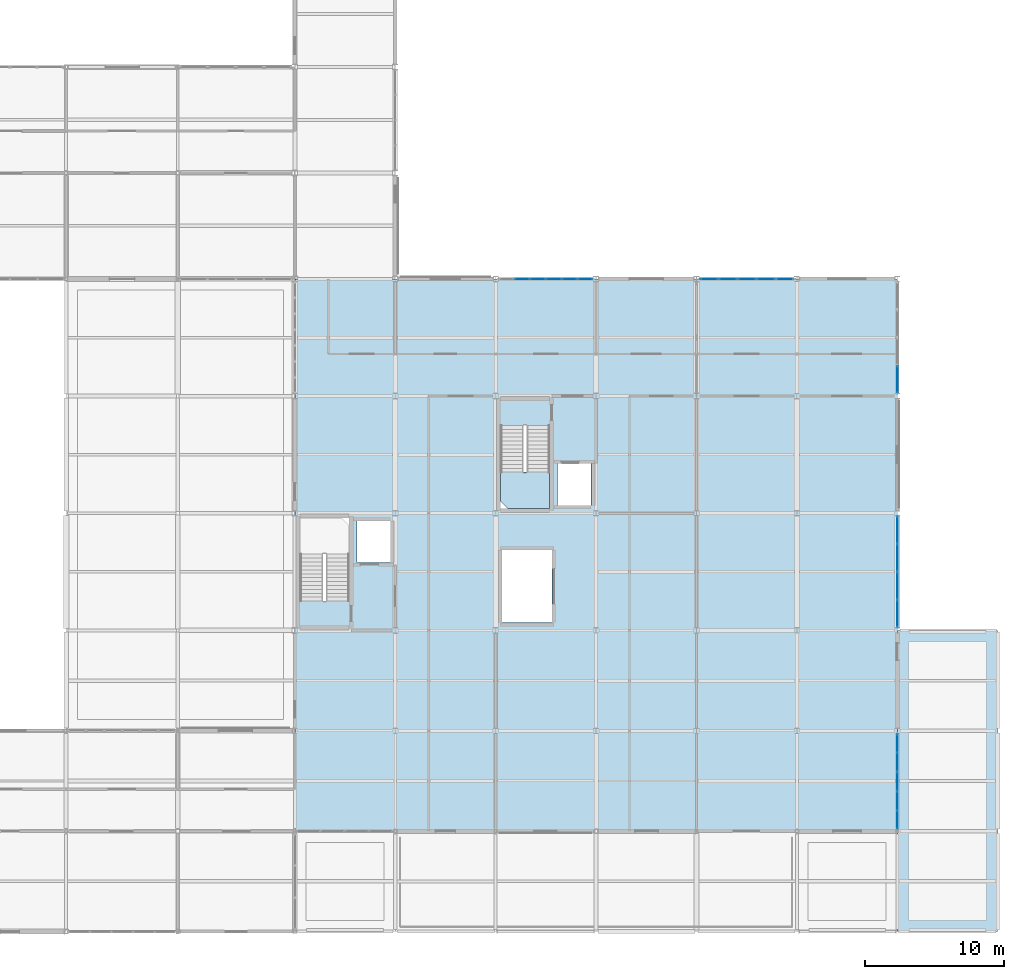
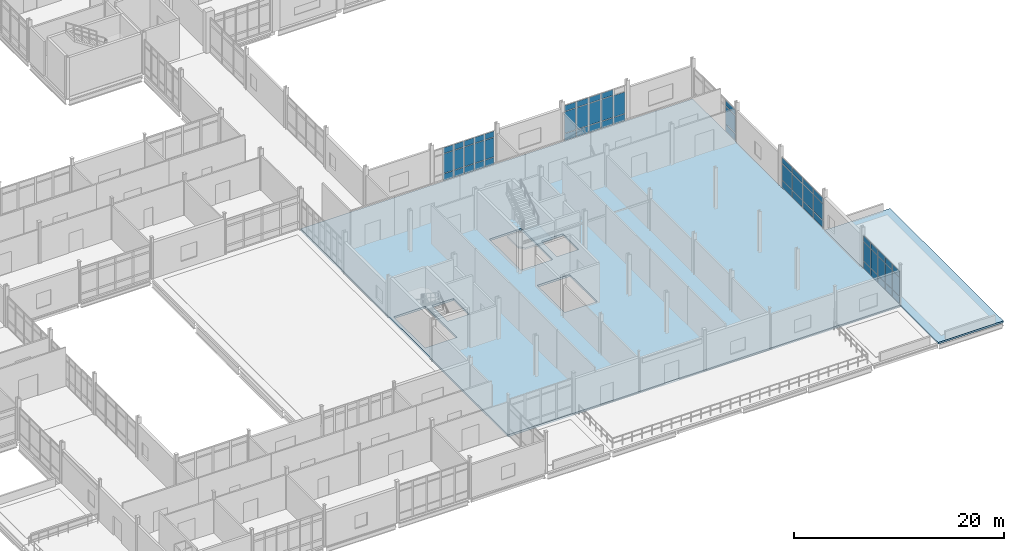
# One storey, part 132 of 186: 59 plates, 3 slabs, 6 elements without a shape of their own.
"""IFC4 building model written with IfcOpenShell, lengths in metres."""

from ifc_helpers import new_model, si_unit, direction, frame, origin, origin_2d, place, context, subcontext, project, spatial, polyline, rectangle, outline, extrude, material, layer, layer_set, type_object, element, aggregate, save


model = new_model("IFC4")

# Units and contexts
model_context = context("Model", 3, precision=1e-05, world=origin(), true_north=direction((0.0, 1.0)))
body_context = subcontext(model_context, "Body", "Model", "MODEL_VIEW")
ifc_project = project(units=[si_unit("LENGTHUNIT", "METRE"), si_unit("AREAUNIT", "SQUARE_METRE"), si_unit("VOLUMEUNIT", "CUBIC_METRE"), si_unit("PLANEANGLEUNIT", "RADIAN"), si_unit("MASSUNIT", "GRAM", prefix="KILO")], contexts=[model_context])

# Site, building, storey
site_placement = place(None, origin())
site = spatial("IfcSite", under=ifc_project, at=site_placement, CompositionType="ELEMENT")
building_placement = place(site_placement, origin())
building = spatial("IfcBuilding", under=site, at=building_placement, Name="Calvrana Isthmian Art Gallery", CompositionType="ELEMENT")
storey_placement = place(building_placement, frame((0.0, 0.0, 5.39990234375)))
storey = spatial("IfcBuildingStorey", under=building, at=storey_placement, Name="L01", CompositionType="ELEMENT", Elevation=5.39990234375)

# Curtain wall, plates
ifc_material_1 = material(Name="Anodized bronze aluminium 6063-T6", Category="aluminium")
ifc_layer_1 = layer(ifc_material_1, 0.179931640625, Name="Anodized bronze aluminium 6063-T6")
ifc_layer_set_1 = layer_set([ifc_layer_1], Name="Anodized bronze aluminium 6063-T6")
curtain_wall_type_1 = type_object("IfcCurtainWallType", Name="CW-UNIT-068X40", PredefinedType="USERDEFINED", material=ifc_layer_set_1)
curtain_wall_1_placement = place(storey_placement, origin())
curtain_wall_1 = element("IfcCurtainWall", 1, at=curtain_wall_1_placement, inside=storey, type_object=curtain_wall_type_1, Name="Curtain wall CW-100", ObjectType="UNITISED CURTAIN WALL", PredefinedType="USERDEFINED")
ifc_material_2 = material(Name="Polychrome glazed terracotta", Category="masonry")
ifc_layer_2 = layer(ifc_material_2, 0.033935546875, Name="Polychrome glazed terracotta")
ifc_layer_set_2 = layer_set([ifc_layer_2], Name="Polychrome glazed terracotta")
plate_type_1 = type_object("IfcPlateType", Name="CWP-SPANDREL-34", PredefinedType="CURTAIN_PANEL", material=ifc_layer_set_2)
plate_1_placement = place(storey_placement, frame((129.090087890625, 46.800048828125, 0.06005859375), z_axis=(0.0, 0.0, 1.0), x_axis=(1.0, 0.0, 0.0)))
plate_1 = element("IfcPlate", 2, at=plate_1_placement, type_object=plate_type_1, Name="CW-100 panel 2.1", PredefinedType="CURTAIN_PANEL", context=body_context, shape_type="SweptSolid", body=[
    extrude(rectangle(XDim=1.060546875, YDim=0.033935546875, at=origin_2d()), origin(), (0.0, 0.0, 1.0), 0.81005859375),
])
plate_2_placement = place(storey_placement, frame((129.090087890625, 46.800048828125, 0.93017578125), z_axis=(0.0, 0.0, 1.0), x_axis=(1.0, 0.0, 0.0)))
plate_2 = element("IfcPlate", 3, at=plate_2_placement, type_object=plate_type_1, Name="CW-100 panel 2.2", PredefinedType="CURTAIN_PANEL", context=body_context, shape_type="SweptSolid", body=[
    extrude(rectangle(XDim=1.060546875, YDim=0.033935546875, at=origin_2d()), origin(), (0.0, 0.0, 1.0), 2.260986328125),
])
plate_3_placement = place(storey_placement, frame((129.090087890625, 46.800048828125, 3.2509765625), z_axis=(0.0, 0.0, 1.0), x_axis=(1.0, 0.0, 0.0)))
plate_3 = element("IfcPlate", 4, at=plate_3_placement, type_object=plate_type_1, Name="CW-100 panel 2.3", PredefinedType="CURTAIN_PANEL", context=body_context, shape_type="SweptSolid", body=[
    extrude(rectangle(XDim=1.060546875, YDim=0.033935546875, at=origin_2d()), origin(), (0.0, 0.0, 1.0), 0.659912109375),
])
plate_4_placement = place(storey_placement, frame((130.2255859375, 46.800048828125, 0.06005859375), z_axis=(0.0, 0.0, 1.0), x_axis=(1.0, 0.0, 0.0)))
plate_4 = element("IfcPlate", 5, at=plate_4_placement, type_object=plate_type_1, Name="CW-100 panel 3.1", PredefinedType="CURTAIN_PANEL", context=body_context, shape_type="SweptSolid", body=[
    extrude(rectangle(XDim=1.060546875, YDim=0.033935546875, at=origin_2d()), origin(), (0.0, 0.0, 1.0), 0.81005859375),
])
plate_5_placement = place(storey_placement, frame((130.2255859375, 46.800048828125, 0.93017578125), z_axis=(0.0, 0.0, 1.0), x_axis=(1.0, 0.0, 0.0)))
plate_5 = element("IfcPlate", 6, at=plate_5_placement, type_object=plate_type_1, Name="CW-100 panel 3.2", PredefinedType="CURTAIN_PANEL", context=body_context, shape_type="SweptSolid", body=[
    extrude(rectangle(XDim=1.060546875, YDim=0.033935546875, at=origin_2d()), origin(), (0.0, 0.0, 1.0), 2.260986328125),
])
plate_6_placement = place(storey_placement, frame((130.2255859375, 46.800048828125, 3.2509765625), z_axis=(0.0, 0.0, 1.0), x_axis=(1.0, 0.0, 0.0)))
plate_6 = element("IfcPlate", 7, at=plate_6_placement, type_object=plate_type_1, Name="CW-100 panel 3.3", PredefinedType="CURTAIN_PANEL", context=body_context, shape_type="SweptSolid", body=[
    extrude(rectangle(XDim=1.060546875, YDim=0.033935546875, at=origin_2d()), origin(), (0.0, 0.0, 1.0), 0.659912109375),
])
plate_7_placement = place(storey_placement, frame((131.361328125, 46.800048828125, 0.06005859375), z_axis=(0.0, 0.0, 1.0), x_axis=(1.0, 0.0, 0.0)))
plate_7 = element("IfcPlate", 8, at=plate_7_placement, type_object=plate_type_1, Name="CW-100 panel 4.1", PredefinedType="CURTAIN_PANEL", context=body_context, shape_type="SweptSolid", body=[
    extrude(rectangle(XDim=1.060546875, YDim=0.033935546875, at=origin_2d()), origin(), (0.0, 0.0, 1.0), 0.81005859375),
])
plate_8_placement = place(storey_placement, frame((131.361328125, 46.800048828125, 0.93017578125), z_axis=(0.0, 0.0, 1.0), x_axis=(1.0, 0.0, 0.0)))
plate_8 = element("IfcPlate", 9, at=plate_8_placement, type_object=plate_type_1, Name="CW-100 panel 4.2", PredefinedType="CURTAIN_PANEL", context=body_context, shape_type="SweptSolid", body=[
    extrude(rectangle(XDim=1.060546875, YDim=0.033935546875, at=origin_2d()), origin(), (0.0, 0.0, 1.0), 2.260986328125),
])
plate_9_placement = place(storey_placement, frame((131.361328125, 46.800048828125, 3.2509765625), z_axis=(0.0, 0.0, 1.0), x_axis=(1.0, 0.0, 0.0)))
plate_9 = element("IfcPlate", 10, at=plate_9_placement, type_object=plate_type_1, Name="CW-100 panel 4.3", PredefinedType="CURTAIN_PANEL", context=body_context, shape_type="SweptSolid", body=[
    extrude(rectangle(XDim=1.060546875, YDim=0.033935546875, at=origin_2d()), origin(), (0.0, 0.0, 1.0), 0.659912109375),
])
plate_10_placement = place(storey_placement, frame((132.4970703125, 46.800048828125, 0.06005859375), z_axis=(0.0, 0.0, 1.0), x_axis=(1.0, 0.0, 0.0)))
plate_10 = element("IfcPlate", 11, at=plate_10_placement, type_object=plate_type_1, Name="CW-100 panel 5.1", PredefinedType="CURTAIN_PANEL", context=body_context, shape_type="SweptSolid", body=[
    extrude(rectangle(XDim=1.060546875, YDim=0.033935546875, at=origin_2d()), origin(), (0.0, 0.0, 1.0), 0.81005859375),
])
plate_11_placement = place(storey_placement, frame((132.4970703125, 46.800048828125, 0.93017578125), z_axis=(0.0, 0.0, 1.0), x_axis=(1.0, 0.0, 0.0)))
plate_11 = element("IfcPlate", 12, at=plate_11_placement, type_object=plate_type_1, Name="CW-100 panel 5.2", PredefinedType="CURTAIN_PANEL", context=body_context, shape_type="SweptSolid", body=[
    extrude(rectangle(XDim=1.060546875, YDim=0.033935546875, at=origin_2d()), origin(), (0.0, 0.0, 1.0), 2.260986328125),
])
plate_12_placement = place(storey_placement, frame((132.4970703125, 46.800048828125, 3.2509765625), z_axis=(0.0, 0.0, 1.0), x_axis=(1.0, 0.0, 0.0)))
plate_12 = element("IfcPlate", 13, at=plate_12_placement, type_object=plate_type_1, Name="CW-100 panel 5.3", PredefinedType="CURTAIN_PANEL", context=body_context, shape_type="SweptSolid", body=[
    extrude(rectangle(XDim=1.060546875, YDim=0.033935546875, at=origin_2d()), origin(), (0.0, 0.0, 1.0), 0.659912109375),
])
plate_13_placement = place(storey_placement, frame((133.614013671875, 46.800048828125, 0.06005859375), z_axis=(0.0, 0.0, 1.0), x_axis=(1.0, 0.0, 0.0)))
plate_13 = element("IfcPlate", 14, at=plate_13_placement, type_object=plate_type_1, Name="CW-100 panel 6.1", PredefinedType="CURTAIN_PANEL", context=body_context, shape_type="SweptSolid", body=[
    extrude(rectangle(XDim=1.023193359375, YDim=0.033935546875, at=origin_2d()), origin(), (0.0, 0.0, 1.0), 0.81005859375),
])
plate_14_placement = place(storey_placement, frame((133.614013671875, 46.800048828125, 0.93017578125), z_axis=(0.0, 0.0, 1.0), x_axis=(1.0, 0.0, 0.0)))
plate_14 = element("IfcPlate", 15, at=plate_14_placement, type_object=plate_type_1, Name="CW-100 panel 6.2", PredefinedType="CURTAIN_PANEL", context=body_context, shape_type="SweptSolid", body=[
    extrude(rectangle(XDim=1.023193359375, YDim=0.033935546875, at=origin_2d()), origin(), (0.0, 0.0, 1.0), 2.260986328125),
])
plate_15_placement = place(storey_placement, frame((133.614013671875, 46.800048828125, 3.2509765625), z_axis=(0.0, 0.0, 1.0), x_axis=(1.0, 0.0, 0.0)))
plate_15 = element("IfcPlate", 16, at=plate_15_placement, type_object=plate_type_1, Name="CW-100 panel 6.3", PredefinedType="CURTAIN_PANEL", context=body_context, shape_type="SweptSolid", body=[
    extrude(rectangle(XDim=1.023193359375, YDim=0.033935546875, at=origin_2d()), origin(), (0.0, 0.0, 1.0), 0.659912109375),
])
aggregate(curtain_wall_1, [plate_1, plate_2, plate_3, plate_4, plate_5, plate_6, plate_7, plate_8, plate_9, plate_10, plate_11, plate_12, plate_13, plate_14, plate_15])

ifc_layer_3 = layer(ifc_material_1, 0.179931640625, Name="Anodized bronze aluminium 6063-T6")
ifc_layer_set_3 = layer_set([ifc_layer_3], Name="Anodized bronze aluminium 6063-T6")
curtain_wall_type_2 = type_object("IfcCurtainWallType", Name="CW-UNIT-068X42", PredefinedType="USERDEFINED", material=ifc_layer_set_3)
curtain_wall_2_placement = place(storey_placement, origin())
curtain_wall_2 = element("IfcCurtainWall", 17, at=curtain_wall_2_placement, inside=storey, type_object=curtain_wall_type_2, Name="Curtain wall CW-101", ObjectType="UNITISED CURTAIN WALL", PredefinedType="USERDEFINED")
ifc_material_3 = material(Name="Low-E laminated solar glass", Category="glass")
ifc_layer_4 = layer(ifc_material_3, 0.028076171875, Name="Low-E laminated solar glass")
ifc_layer_set_4 = layer_set([ifc_layer_4], Name="Low-E laminated solar glass")
plate_type_2 = type_object("IfcPlateType", Name="CWP-VISION-28", PredefinedType="CURTAIN_PANEL", material=ifc_layer_set_4)
plate_16_placement = place(storey_placement, frame((142.499755859375, 46.800048828125, 0.06005859375), z_axis=(0.0, 0.0, 1.0), x_axis=(1.0, 0.0, 0.0)))
plate_16 = element("IfcPlate", 18, at=plate_16_placement, type_object=plate_type_2, Name="CW-101 panel 1.1", PredefinedType="CURTAIN_PANEL", context=body_context, shape_type="SweptSolid", body=[
    extrude(rectangle(XDim=1.243408203125, YDim=0.028076171875, at=origin_2d()), origin(), (0.0, 0.0, 1.0), 0.81005859375),
])
plate_17_placement = place(storey_placement, frame((142.499755859375, 46.800048828125, 0.93017578125), z_axis=(0.0, 0.0, 1.0), x_axis=(1.0, 0.0, 0.0)))
plate_17 = element("IfcPlate", 19, at=plate_17_placement, type_object=plate_type_2, Name="CW-101 panel 1.2", PredefinedType="CURTAIN_PANEL", context=body_context, shape_type="SweptSolid", body=[
    extrude(rectangle(XDim=1.243408203125, YDim=0.028076171875, at=origin_2d()), origin(), (0.0, 0.0, 1.0), 2.505126953125),
])
plate_18_placement = place(storey_placement, frame((142.499755859375, 46.800048828125, 3.4951171875), z_axis=(0.0, 0.0, 1.0), x_axis=(1.0, 0.0, 0.0)))
plate_18 = element("IfcPlate", 20, at=plate_18_placement, type_object=plate_type_2, Name="CW-101 panel 1.3", PredefinedType="CURTAIN_PANEL", context=body_context, shape_type="SweptSolid", body=[
    extrude(rectangle(XDim=1.243408203125, YDim=0.028076171875, at=origin_2d()), origin(), (0.0, 0.0, 1.0), 0.659912109375),
])
plate_19_placement = place(storey_placement, frame((143.843017578125, 46.800048828125, 0.06005859375), z_axis=(0.0, 0.0, 1.0), x_axis=(1.0, 0.0, 0.0)))
plate_19 = element("IfcPlate", 21, at=plate_19_placement, type_object=plate_type_2, Name="CW-101 panel 2.1", PredefinedType="CURTAIN_PANEL", context=body_context, shape_type="SweptSolid", body=[
    extrude(rectangle(XDim=1.283203125, YDim=0.028076171875, at=origin_2d()), origin(), (0.0, 0.0, 1.0), 0.81005859375),
])
plate_20_placement = place(storey_placement, frame((143.843017578125, 46.800048828125, 0.93017578125), z_axis=(0.0, 0.0, 1.0), x_axis=(1.0, 0.0, 0.0)))
plate_20 = element("IfcPlate", 22, at=plate_20_placement, type_object=plate_type_2, Name="CW-101 panel 2.2", PredefinedType="CURTAIN_PANEL", context=body_context, shape_type="SweptSolid", body=[
    extrude(rectangle(XDim=1.283203125, YDim=0.028076171875, at=origin_2d()), origin(), (0.0, 0.0, 1.0), 2.505126953125),
])
plate_21_placement = place(storey_placement, frame((143.843017578125, 46.800048828125, 3.4951171875), z_axis=(0.0, 0.0, 1.0), x_axis=(1.0, 0.0, 0.0)))
plate_21 = element("IfcPlate", 23, at=plate_21_placement, type_object=plate_type_2, Name="CW-101 panel 2.3", PredefinedType="CURTAIN_PANEL", context=body_context, shape_type="SweptSolid", body=[
    extrude(rectangle(XDim=1.283203125, YDim=0.028076171875, at=origin_2d()), origin(), (0.0, 0.0, 1.0), 0.659912109375),
])
plate_22_placement = place(storey_placement, frame((145.206298828125, 46.800048828125, 0.06005859375), z_axis=(0.0, 0.0, 1.0), x_axis=(1.0, 0.0, 0.0)))
plate_22 = element("IfcPlate", 24, at=plate_22_placement, type_object=plate_type_2, Name="CW-101 panel 3.1", PredefinedType="CURTAIN_PANEL", context=body_context, shape_type="SweptSolid", body=[
    extrude(rectangle(XDim=1.283203125, YDim=0.028076171875, at=origin_2d()), origin(), (0.0, 0.0, 1.0), 0.81005859375),
])
plate_23_placement = place(storey_placement, frame((145.206298828125, 46.800048828125, 0.93017578125), z_axis=(0.0, 0.0, 1.0), x_axis=(1.0, 0.0, 0.0)))
plate_23 = element("IfcPlate", 25, at=plate_23_placement, type_object=plate_type_2, Name="CW-101 panel 3.2", PredefinedType="CURTAIN_PANEL", context=body_context, shape_type="SweptSolid", body=[
    extrude(rectangle(XDim=1.283203125, YDim=0.028076171875, at=origin_2d()), origin(), (0.0, 0.0, 1.0), 2.505126953125),
])
plate_24_placement = place(storey_placement, frame((145.206298828125, 46.800048828125, 3.4951171875), z_axis=(0.0, 0.0, 1.0), x_axis=(1.0, 0.0, 0.0)))
plate_24 = element("IfcPlate", 26, at=plate_24_placement, type_object=plate_type_2, Name="CW-101 panel 3.3", PredefinedType="CURTAIN_PANEL", context=body_context, shape_type="SweptSolid", body=[
    extrude(rectangle(XDim=1.283203125, YDim=0.028076171875, at=origin_2d()), origin(), (0.0, 0.0, 1.0), 0.659912109375),
])
plate_25_placement = place(storey_placement, frame((146.569580078125, 46.800048828125, 0.06005859375), z_axis=(0.0, 0.0, 1.0), x_axis=(1.0, 0.0, 0.0)))
plate_25 = element("IfcPlate", 27, at=plate_25_placement, type_object=plate_type_2, Name="CW-101 panel 4.1", PredefinedType="CURTAIN_PANEL", context=body_context, shape_type="SweptSolid", body=[
    extrude(rectangle(XDim=1.283203125, YDim=0.028076171875, at=origin_2d()), origin(), (0.0, 0.0, 1.0), 0.81005859375),
])
plate_26_placement = place(storey_placement, frame((146.569580078125, 46.800048828125, 0.93017578125), z_axis=(0.0, 0.0, 1.0), x_axis=(1.0, 0.0, 0.0)))
plate_26 = element("IfcPlate", 28, at=plate_26_placement, type_object=plate_type_2, Name="CW-101 panel 4.2", PredefinedType="CURTAIN_PANEL", context=body_context, shape_type="SweptSolid", body=[
    extrude(rectangle(XDim=1.283203125, YDim=0.028076171875, at=origin_2d()), origin(), (0.0, 0.0, 1.0), 2.505126953125),
])
plate_27_placement = place(storey_placement, frame((146.569580078125, 46.800048828125, 3.4951171875), z_axis=(0.0, 0.0, 1.0), x_axis=(1.0, 0.0, 0.0)))
plate_27 = element("IfcPlate", 29, at=plate_27_placement, type_object=plate_type_2, Name="CW-101 panel 4.3", PredefinedType="CURTAIN_PANEL", context=body_context, shape_type="SweptSolid", body=[
    extrude(rectangle(XDim=1.283203125, YDim=0.028076171875, at=origin_2d()), origin(), (0.0, 0.0, 1.0), 0.659912109375),
])
plate_28_placement = place(storey_placement, frame((147.912841796875, 46.800048828125, 0.06005859375), z_axis=(0.0, 0.0, 1.0), x_axis=(1.0, 0.0, 0.0)))
plate_28 = element("IfcPlate", 30, at=plate_28_placement, type_object=plate_type_2, Name="CW-101 panel 5.1", PredefinedType="CURTAIN_PANEL", context=body_context, shape_type="SweptSolid", body=[
    extrude(rectangle(XDim=1.243408203125, YDim=0.028076171875, at=origin_2d()), origin(), (0.0, 0.0, 1.0), 0.81005859375),
])
plate_29_placement = place(storey_placement, frame((147.912841796875, 46.800048828125, 0.93017578125), z_axis=(0.0, 0.0, 1.0), x_axis=(1.0, 0.0, 0.0)))
plate_29 = element("IfcPlate", 31, at=plate_29_placement, type_object=plate_type_2, Name="CW-101 panel 5.2", PredefinedType="CURTAIN_PANEL", context=body_context, shape_type="SweptSolid", body=[
    extrude(rectangle(XDim=1.243408203125, YDim=0.028076171875, at=origin_2d()), origin(), (0.0, 0.0, 1.0), 2.505126953125),
])
aggregate(curtain_wall_2, [plate_16, plate_17, plate_18, plate_19, plate_20, plate_21, plate_22, plate_23, plate_24, plate_25, plate_26, plate_27, plate_28, plate_29])

ifc_layer_5 = layer(ifc_material_1, 0.179931640625, Name="Anodized bronze aluminium 6063-T6")
ifc_layer_set_5 = layer_set([ifc_layer_5], Name="Anodized bronze aluminium 6063-T6")
curtain_wall_type_3 = type_object("IfcCurtainWallType", Name="CW-UNIT-069X39", PredefinedType="USERDEFINED", material=ifc_layer_set_5)
curtain_wall_3_placement = place(storey_placement, origin())
curtain_wall_3 = element("IfcCurtainWall", 32, at=curtain_wall_3_placement, inside=storey, type_object=curtain_wall_type_3, Name="Curtain wall CW-141", ObjectType="UNITISED CURTAIN WALL", PredefinedType="USERDEFINED")
plate_30_placement = place(storey_placement, frame((156.0, 13.512451171875, 0.06005859375), z_axis=(0.0, 0.0, 1.0), x_axis=(0.0, -1.0, 0.0)))
plate_30 = element("IfcPlate", 33, at=plate_30_placement, type_object=plate_type_2, Name="CW-141 panel 1.1", PredefinedType="CURTAIN_PANEL", context=body_context, shape_type="SweptSolid", body=[
    extrude(rectangle(XDim=1.279052734375, YDim=0.028076171875, at=origin_2d()), origin(), (0.0, 0.0, 1.0), 0.81005859375),
])
plate_31_placement = place(storey_placement, frame((156.0, 13.512451171875, 0.93017578125), z_axis=(0.0, 0.0, 1.0), x_axis=(0.0, -1.0, 0.0)))
plate_31 = element("IfcPlate", 34, at=plate_31_placement, type_object=plate_type_2, Name="CW-141 panel 1.2", PredefinedType="CURTAIN_PANEL", context=body_context, shape_type="SweptSolid", body=[
    extrude(rectangle(XDim=1.279052734375, YDim=0.028076171875, at=origin_2d()), origin(), (0.0, 0.0, 1.0), 2.197998046875),
])
plate_32_placement = place(storey_placement, frame((156.0, 13.512451171875, 3.18798828125), z_axis=(0.0, 0.0, 1.0), x_axis=(0.0, -1.0, 0.0)))
plate_32 = element("IfcPlate", 35, at=plate_32_placement, type_object=plate_type_2, Name="CW-141 panel 1.3", PredefinedType="CURTAIN_PANEL", context=body_context, shape_type="SweptSolid", body=[
    extrude(rectangle(XDim=1.279052734375, YDim=0.028076171875, at=origin_2d()), origin(), (0.0, 0.0, 1.0), 0.659912109375),
])
plate_33_placement = place(storey_placement, frame((156.0, 12.14599609375, 0.06005859375), z_axis=(0.0, 0.0, 1.0), x_axis=(0.0, -1.0, 0.0)))
plate_33 = element("IfcPlate", 36, at=plate_33_placement, type_object=plate_type_2, Name="CW-141 panel 2.1", PredefinedType="CURTAIN_PANEL", context=body_context, shape_type="SweptSolid", body=[
    extrude(rectangle(XDim=1.31396484375, YDim=0.028076171875, at=origin_2d()), origin(), (0.0, 0.0, 1.0), 0.81005859375),
])
plate_34_placement = place(storey_placement, frame((156.0, 12.14599609375, 0.93017578125), z_axis=(0.0, 0.0, 1.0), x_axis=(0.0, -1.0, 0.0)))
plate_34 = element("IfcPlate", 37, at=plate_34_placement, type_object=plate_type_2, Name="CW-141 panel 2.2", PredefinedType="CURTAIN_PANEL", context=body_context, shape_type="SweptSolid", body=[
    extrude(rectangle(XDim=1.31396484375, YDim=0.028076171875, at=origin_2d()), origin(), (0.0, 0.0, 1.0), 2.197998046875),
])
plate_35_placement = place(storey_placement, frame((156.0, 12.14599609375, 3.18798828125), z_axis=(0.0, 0.0, 1.0), x_axis=(0.0, -1.0, 0.0)))
plate_35 = element("IfcPlate", 38, at=plate_35_placement, type_object=plate_type_2, Name="CW-141 panel 2.3", PredefinedType="CURTAIN_PANEL", context=body_context, shape_type="SweptSolid", body=[
    extrude(rectangle(XDim=1.31396484375, YDim=0.028076171875, at=origin_2d()), origin(), (0.0, 0.0, 1.0), 0.659912109375),
])
plate_36_placement = place(storey_placement, frame((156.0, 10.76171875, 0.06005859375), z_axis=(0.0, 0.0, 1.0), x_axis=(0.0, -1.0, 0.0)))
plate_36 = element("IfcPlate", 39, at=plate_36_placement, type_object=plate_type_2, Name="CW-141 panel 3.1", PredefinedType="CURTAIN_PANEL", context=body_context, shape_type="SweptSolid", body=[
    extrude(rectangle(XDim=1.31396484375, YDim=0.028076171875, at=origin_2d()), origin(), (0.0, 0.0, 1.0), 0.81005859375),
])
plate_37_placement = place(storey_placement, frame((156.0, 10.76171875, 0.93017578125), z_axis=(0.0, 0.0, 1.0), x_axis=(0.0, -1.0, 0.0)))
plate_37 = element("IfcPlate", 40, at=plate_37_placement, type_object=plate_type_2, Name="CW-141 panel 3.2", PredefinedType="CURTAIN_PANEL", context=body_context, shape_type="SweptSolid", body=[
    extrude(rectangle(XDim=1.31396484375, YDim=0.028076171875, at=origin_2d()), origin(), (0.0, 0.0, 1.0), 2.197998046875),
])
plate_38_placement = place(storey_placement, frame((156.0, 10.76171875, 3.18798828125), z_axis=(0.0, 0.0, 1.0), x_axis=(0.0, -1.0, 0.0)))
plate_38 = element("IfcPlate", 41, at=plate_38_placement, type_object=plate_type_2, Name="CW-141 panel 3.3", PredefinedType="CURTAIN_PANEL", context=body_context, shape_type="SweptSolid", body=[
    extrude(rectangle(XDim=1.31396484375, YDim=0.028076171875, at=origin_2d()), origin(), (0.0, 0.0, 1.0), 0.659912109375),
])
plate_39_placement = place(storey_placement, frame((156.0, 9.377685546875, 0.06005859375), z_axis=(0.0, 0.0, 1.0), x_axis=(0.0, -1.0, 0.0)))
plate_39 = element("IfcPlate", 42, at=plate_39_placement, type_object=plate_type_2, Name="CW-141 panel 4.1", PredefinedType="CURTAIN_PANEL", context=body_context, shape_type="SweptSolid", body=[
    extrude(rectangle(XDim=1.31396484375, YDim=0.028076171875, at=origin_2d()), origin(), (0.0, 0.0, 1.0), 0.81005859375),
])
plate_40_placement = place(storey_placement, frame((156.0, 9.377685546875, 0.93017578125), z_axis=(0.0, 0.0, 1.0), x_axis=(0.0, -1.0, 0.0)))
plate_40 = element("IfcPlate", 43, at=plate_40_placement, type_object=plate_type_2, Name="CW-141 panel 4.2", PredefinedType="CURTAIN_PANEL", context=body_context, shape_type="SweptSolid", body=[
    extrude(rectangle(XDim=1.31396484375, YDim=0.028076171875, at=origin_2d()), origin(), (0.0, 0.0, 1.0), 2.197998046875),
])
plate_41_placement = place(storey_placement, frame((156.0, 9.377685546875, 3.18798828125), z_axis=(0.0, 0.0, 1.0), x_axis=(0.0, -1.0, 0.0)))
plate_41 = element("IfcPlate", 44, at=plate_41_placement, type_object=plate_type_2, Name="CW-141 panel 4.3", PredefinedType="CURTAIN_PANEL", context=body_context, shape_type="SweptSolid", body=[
    extrude(rectangle(XDim=1.31396484375, YDim=0.028076171875, at=origin_2d()), origin(), (0.0, 0.0, 1.0), 0.659912109375),
])
plate_42_placement = place(storey_placement, frame((156.0, 8.01123046875, 0.06005859375), z_axis=(0.0, 0.0, 1.0), x_axis=(0.0, -1.0, 0.0)))
plate_42 = element("IfcPlate", 45, at=plate_42_placement, type_object=plate_type_2, Name="CW-141 panel 5.1", PredefinedType="CURTAIN_PANEL", context=body_context, shape_type="SweptSolid", body=[
    extrude(rectangle(XDim=1.279052734375, YDim=0.028076171875, at=origin_2d()), origin(), (0.0, 0.0, 1.0), 0.81005859375),
])
plate_43_placement = place(storey_placement, frame((156.0, 8.01123046875, 0.93017578125), z_axis=(0.0, 0.0, 1.0), x_axis=(0.0, -1.0, 0.0)))
plate_43 = element("IfcPlate", 46, at=plate_43_placement, type_object=plate_type_2, Name="CW-141 panel 5.2", PredefinedType="CURTAIN_PANEL", context=body_context, shape_type="SweptSolid", body=[
    extrude(rectangle(XDim=1.279052734375, YDim=0.028076171875, at=origin_2d()), origin(), (0.0, 0.0, 1.0), 2.197998046875),
])
plate_44_placement = place(storey_placement, frame((156.0, 8.01123046875, 3.18798828125), z_axis=(0.0, 0.0, 1.0), x_axis=(0.0, -1.0, 0.0)))
plate_44 = element("IfcPlate", 47, at=plate_44_placement, type_object=plate_type_2, Name="CW-141 panel 5.3", PredefinedType="CURTAIN_PANEL", context=body_context, shape_type="SweptSolid", body=[
    extrude(rectangle(XDim=1.279052734375, YDim=0.028076171875, at=origin_2d()), origin(), (0.0, 0.0, 1.0), 0.659912109375),
])
aggregate(curtain_wall_3, [plate_30, plate_31, plate_32, plate_33, plate_34, plate_35, plate_36, plate_37, plate_38, plate_39, plate_40, plate_41, plate_42, plate_43, plate_44])

ifc_layer_6 = layer(ifc_material_1, 0.179931640625, Name="Anodized bronze aluminium 6063-T6")
ifc_layer_set_6 = layer_set([ifc_layer_6], Name="Anodized bronze aluminium 6063-T6")
curtain_wall_type_4 = type_object("IfcCurtainWallType", Name="CW-UNIT-080X36", PredefinedType="USERDEFINED", material=ifc_layer_set_6)
curtain_wall_4_placement = place(storey_placement, origin())
curtain_wall_4 = element("IfcCurtainWall", 48, at=curtain_wall_4_placement, inside=storey, type_object=curtain_wall_type_4, Name="Curtain wall CW-142", ObjectType="UNITISED CURTAIN WALL", PredefinedType="USERDEFINED")
plate_45_placement = place(storey_placement, frame((156.0, 28.79296875, 0.06494140625), z_axis=(0.0, 0.0, 1.0), x_axis=(0.0, -1.0, 0.0)))
plate_45 = element("IfcPlate", 49, at=plate_45_placement, type_object=plate_type_2, Name="CW-142 panel 1.1", PredefinedType="CURTAIN_PANEL", context=body_context, shape_type="SweptSolid", body=[
    extrude(rectangle(XDim=1.896240234375, YDim=0.028076171875, at=origin_2d()), origin(), (0.0, 0.0, 1.0), 0.802490234375),
])
plate_46_placement = place(storey_placement, frame((156.0, 28.79296875, 0.9326171875), z_axis=(0.0, 0.0, 1.0), x_axis=(0.0, -1.0, 0.0)))
plate_46 = element("IfcPlate", 50, at=plate_46_placement, type_object=plate_type_2, Name="CW-142 panel 1.2", PredefinedType="CURTAIN_PANEL", context=body_context, shape_type="SweptSolid", body=[
    extrude(rectangle(XDim=1.896240234375, YDim=0.028076171875, at=origin_2d()), origin(), (0.0, 0.0, 1.0), 1.8779296875),
])
plate_47_placement = place(storey_placement, frame((156.0, 28.79296875, 2.87548828125), z_axis=(0.0, 0.0, 1.0), x_axis=(0.0, -1.0, 0.0)))
plate_47 = element("IfcPlate", 51, at=plate_47_placement, type_object=plate_type_2, Name="CW-142 panel 1.3", PredefinedType="CURTAIN_PANEL", context=body_context, shape_type="SweptSolid", body=[
    extrude(rectangle(XDim=1.896240234375, YDim=0.028076171875, at=origin_2d()), origin(), (0.0, 0.0, 1.0), 0.652587890625),
])
plate_48_placement = place(storey_placement, frame((156.0, 26.802978515625, 0.06494140625), z_axis=(0.0, 0.0, 1.0), x_axis=(0.0, -1.0, 0.0)))
plate_48 = element("IfcPlate", 52, at=plate_48_placement, type_object=plate_type_2, Name="CW-142 panel 2.1", PredefinedType="CURTAIN_PANEL", context=body_context, shape_type="SweptSolid", body=[
    extrude(rectangle(XDim=1.93359375, YDim=0.028076171875, at=origin_2d()), origin(), (0.0, 0.0, 1.0), 0.802490234375),
])
plate_49_placement = place(storey_placement, frame((156.0, 26.802978515625, 0.9326171875), z_axis=(0.0, 0.0, 1.0), x_axis=(0.0, -1.0, 0.0)))
plate_49 = element("IfcPlate", 53, at=plate_49_placement, type_object=plate_type_2, Name="CW-142 panel 2.2", PredefinedType="CURTAIN_PANEL", context=body_context, shape_type="SweptSolid", body=[
    extrude(rectangle(XDim=1.93359375, YDim=0.028076171875, at=origin_2d()), origin(), (0.0, 0.0, 1.0), 1.8779296875),
])
plate_50_placement = place(storey_placement, frame((156.0, 26.802978515625, 2.87548828125), z_axis=(0.0, 0.0, 1.0), x_axis=(0.0, -1.0, 0.0)))
plate_50 = element("IfcPlate", 54, at=plate_50_placement, type_object=plate_type_2, Name="CW-142 panel 2.3", PredefinedType="CURTAIN_PANEL", context=body_context, shape_type="SweptSolid", body=[
    extrude(rectangle(XDim=1.93359375, YDim=0.028076171875, at=origin_2d()), origin(), (0.0, 0.0, 1.0), 0.652587890625),
])
plate_51_placement = place(storey_placement, frame((156.0, 24.79443359375, 0.06494140625), z_axis=(0.0, 0.0, 1.0), x_axis=(0.0, -1.0, 0.0)))
plate_51 = element("IfcPlate", 55, at=plate_51_placement, type_object=plate_type_2, Name="CW-142 panel 3.1", PredefinedType="CURTAIN_PANEL", context=body_context, shape_type="SweptSolid", body=[
    extrude(rectangle(XDim=1.93359375, YDim=0.028076171875, at=origin_2d()), origin(), (0.0, 0.0, 1.0), 0.802490234375),
])
plate_52_placement = place(storey_placement, frame((156.0, 24.79443359375, 0.9326171875), z_axis=(0.0, 0.0, 1.0), x_axis=(0.0, -1.0, 0.0)))
plate_52 = element("IfcPlate", 56, at=plate_52_placement, type_object=plate_type_2, Name="CW-142 panel 3.2", PredefinedType="CURTAIN_PANEL", context=body_context, shape_type="SweptSolid", body=[
    extrude(rectangle(XDim=1.93359375, YDim=0.028076171875, at=origin_2d()), origin(), (0.0, 0.0, 1.0), 1.8779296875),
])
plate_53_placement = place(storey_placement, frame((156.0, 24.79443359375, 2.87548828125), z_axis=(0.0, 0.0, 1.0), x_axis=(0.0, -1.0, 0.0)))
plate_53 = element("IfcPlate", 57, at=plate_53_placement, type_object=plate_type_2, Name="CW-142 panel 3.3", PredefinedType="CURTAIN_PANEL", context=body_context, shape_type="SweptSolid", body=[
    extrude(rectangle(XDim=1.93359375, YDim=0.028076171875, at=origin_2d()), origin(), (0.0, 0.0, 1.0), 0.652587890625),
])
plate_54_placement = place(storey_placement, frame((156.0, 22.804443359375, 0.06494140625), z_axis=(0.0, 0.0, 1.0), x_axis=(0.0, -1.0, 0.0)))
plate_54 = element("IfcPlate", 58, at=plate_54_placement, type_object=plate_type_2, Name="CW-142 panel 4.1", PredefinedType="CURTAIN_PANEL", context=body_context, shape_type="SweptSolid", body=[
    extrude(rectangle(XDim=1.896240234375, YDim=0.028076171875, at=origin_2d()), origin(), (0.0, 0.0, 1.0), 0.802490234375),
])
plate_55_placement = place(storey_placement, frame((156.0, 22.804443359375, 0.9326171875), z_axis=(0.0, 0.0, 1.0), x_axis=(0.0, -1.0, 0.0)))
plate_55 = element("IfcPlate", 59, at=plate_55_placement, type_object=plate_type_2, Name="CW-142 panel 4.2", PredefinedType="CURTAIN_PANEL", context=body_context, shape_type="SweptSolid", body=[
    extrude(rectangle(XDim=1.896240234375, YDim=0.028076171875, at=origin_2d()), origin(), (0.0, 0.0, 1.0), 1.8779296875),
])
plate_56_placement = place(storey_placement, frame((156.0, 22.804443359375, 2.87548828125), z_axis=(0.0, 0.0, 1.0), x_axis=(0.0, -1.0, 0.0)))
plate_56 = element("IfcPlate", 60, at=plate_56_placement, type_object=plate_type_2, Name="CW-142 panel 4.3", PredefinedType="CURTAIN_PANEL", context=body_context, shape_type="SweptSolid", body=[
    extrude(rectangle(XDim=1.896240234375, YDim=0.028076171875, at=origin_2d()), origin(), (0.0, 0.0, 1.0), 0.652587890625),
])
aggregate(curtain_wall_4, [plate_45, plate_46, plate_47, plate_48, plate_49, plate_50, plate_51, plate_52, plate_53, plate_54, plate_55, plate_56])

ifc_layer_7 = layer(ifc_material_1, 0.179931640625, Name="Anodized bronze aluminium 6063-T6")
ifc_layer_set_7 = layer_set([ifc_layer_7], Name="Anodized bronze aluminium 6063-T6")
curtain_wall_type_5 = type_object("IfcCurtainWallType", Name="CW-STICK-080X37", PredefinedType="NOTDEFINED", material=ifc_layer_set_7)
curtain_wall_5_placement = place(storey_placement, origin())
curtain_wall_5 = element("IfcCurtainWall", 61, at=curtain_wall_5_placement, inside=storey, type_object=curtain_wall_type_5, Name="Curtain wall CW-143", PredefinedType="NOTDEFINED")
plate_57_placement = place(storey_placement, frame((156.0, 39.61083984375, 0.070068359375), z_axis=(0.0, 0.0, 1.0), x_axis=(0.0, -1.0, 0.0)))
plate_57 = element("IfcPlate", 62, at=plate_57_placement, type_object=plate_type_2, Name="CW-143 panel 4.1", PredefinedType="CURTAIN_PANEL", context=body_context, shape_type="SweptSolid", body=[
    extrude(rectangle(XDim=1.888916015625, YDim=0.028076171875, at=origin_2d()), origin(), (0.0, 0.0, 1.0), 0.794921875),
])
plate_58_placement = place(storey_placement, frame((156.0, 39.61083984375, 0.93505859375), z_axis=(0.0, 0.0, 1.0), x_axis=(0.0, -1.0, 0.0)))
plate_58 = element("IfcPlate", 63, at=plate_58_placement, type_object=plate_type_2, Name="CW-143 panel 4.2", PredefinedType="CURTAIN_PANEL", context=body_context, shape_type="SweptSolid", body=[
    extrude(rectangle(XDim=1.888916015625, YDim=0.028076171875, at=origin_2d()), origin(), (0.0, 0.0, 1.0), 2.028076171875),
])
plate_59_placement = place(storey_placement, frame((156.0, 39.61083984375, 3.033203125), z_axis=(0.0, 0.0, 1.0), x_axis=(0.0, -1.0, 0.0)))
plate_59 = element("IfcPlate", 64, at=plate_59_placement, type_object=plate_type_2, Name="CW-143 panel 4.3", PredefinedType="CURTAIN_PANEL", context=body_context, shape_type="SweptSolid", body=[
    extrude(rectangle(XDim=1.888916015625, YDim=0.028076171875, at=origin_2d()), origin(), (0.0, 0.0, 1.0), 0.64501953125),
])
aggregate(curtain_wall_5, [plate_57, plate_58, plate_59])

# Slab
ifc_material_4 = material(Name="Concrete C40/50", Category="concrete")
ifc_layer_8 = layer(ifc_material_4, 0.239990234375, Name="Concrete C40/50")
ifc_layer_set_8 = layer_set([ifc_layer_8], Name="Concrete C40/50")
slab_type_1 = type_object("IfcSlabType", Name="SLB-FLR-240", PredefinedType="FLOOR", material=ifc_layer_set_8)
slab_1_placement = place(storey_placement, frame((0.0, 0.0, -0.239990234375)))
element("IfcSlab", 65, at=slab_1_placement, inside=storey, type_object=slab_type_1, Name="Floor slab V4_L01", PredefinedType="FLOOR", context=body_context, shape_type="SweptSolid", body=[
    extrude(outline(polyline([(112.800048828125, 7.199951171875), (156.0, 7.199951171875), (156.0, 46.800048828125), (112.800048828125, 46.800048828125), (112.800048828125, 7.199951171875)]), holes=[polyline([(116.68994140625, 23.699951171875), (116.68994140625, 29.659912109375), (113.169921875, 29.659912109375), (113.169921875, 23.699951171875), (116.68994140625, 23.699951171875)]), polyline([(117.25, 26.449951171875), (119.64990234375, 26.449951171875), (119.64990234375, 29.449951171875), (117.25, 29.449951171875), (117.25, 26.449951171875)]), polyline([(127.550048828125, 36.300048828125), (127.550048828125, 30.340087890625), (131.070068359375, 30.340087890625), (131.070068359375, 36.300048828125), (127.550048828125, 36.300048828125)]), polyline([(131.64990234375, 30.550048828125), (134.050048828125, 30.550048828125), (134.050048828125, 33.550048828125), (131.64990234375, 33.550048828125), (131.64990234375, 30.550048828125)]), polyline([(127.64990234375, 22.14990234375), (131.25, 22.14990234375), (131.25, 27.35009765625), (127.64990234375, 27.35009765625), (127.64990234375, 22.14990234375)])]), origin(), (0.0, 0.0, 1.0), 0.239990234375),
])

# Stair, slab
stair_type = type_object("IfcStairType", Name="STR-HT-480", PredefinedType="HALF_TURN_STAIR", material=ifc_material_4)
stair_placement = place(storey_placement, origin())
stair = element("IfcStair", 66, at=stair_placement, inside=storey, type_object=stair_type, Name="Protected exit stair ST-4 (L01)", PredefinedType="HALF_TURN_STAIR")
ifc_layer_9 = layer(ifc_material_4, 0.199951171875, Name="Concrete C40/50")
ifc_layer_set_9 = layer_set([ifc_layer_9], Name="Concrete C40/50")
slab_type_2 = type_object("IfcSlabType", Name="SLB-LAND-200", PredefinedType="LANDING", material=ifc_layer_set_9)
slab_2_placement = place(storey_placement, frame((0.0, 0.0, 2.2001953125)))
slab_2 = element("IfcSlab", 67, at=slab_2_placement, type_object=slab_type_2, Name="ST-4 landing 1", PredefinedType="LANDING", context=body_context, shape_type="SweptSolid", body=[
    extrude(outline(polyline([(127.550048828125, 32.93994140625), (127.550048828125, 30.860107421875), (128.070068359375, 30.340087890625), (131.070068359375, 30.340087890625), (131.070068359375, 32.93994140625), (127.550048828125, 32.93994140625)])), origin(), (0.0, 0.0, 1.0), 0.199951171875),
])
aggregate(stair, [slab_2])

# Slab
ifc_layer_10 = layer(ifc_material_4, 0.199951171875, Name="Concrete C40/50")
ifc_layer_set_10 = layer_set([ifc_layer_10], Name="Concrete C40/50")
slab_type_3 = type_object("IfcSlabType", Name="SLB-ROOF-200", PredefinedType="ROOF", material=ifc_layer_set_10)
slab_3_placement = place(storey_placement, frame((0.0, 0.0, -0.199951171875)))
element("IfcSlab", 68, at=slab_3_placement, inside=storey, type_object=slab_type_3, Name="Flat roof slab ROOF_V4E_L01", PredefinedType="ROOF", context=body_context, shape_type="SweptSolid", body=[
    extrude(outline(polyline([(156.0, 0.0), (163.199951171875, 0.0), (163.199951171875, 21.60009765625), (156.0, 21.60009765625), (156.0, 0.0)])), origin(), (0.0, 0.0, 1.0), 0.199951171875),
])

save(model, "model.ifc")
